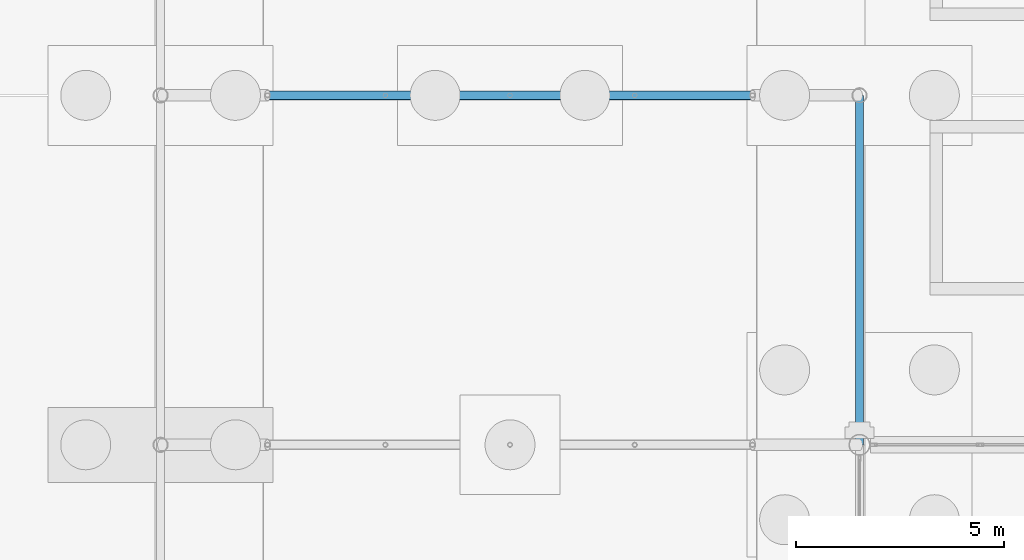
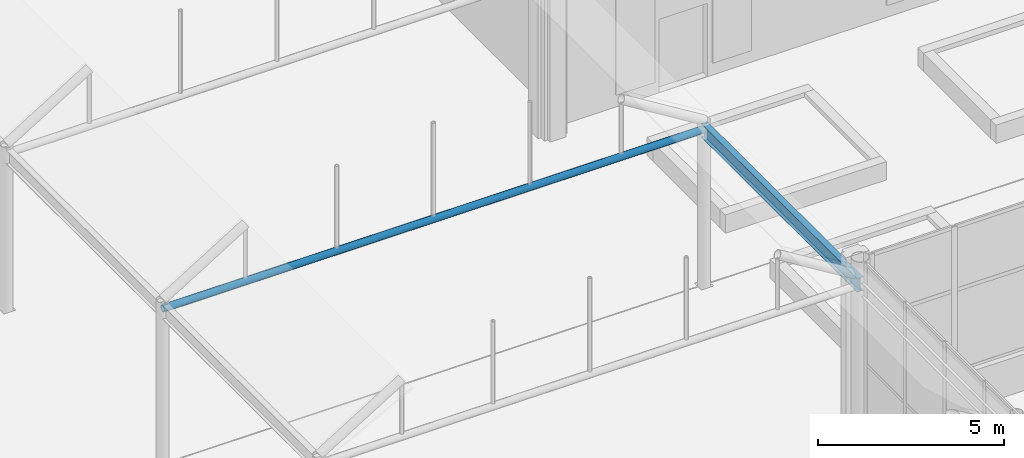
# One storey, part 137 of 212: 2 beams.
"""IFC4 building model written with IfcOpenShell, lengths in metres."""

from ifc_helpers import new_model, si_unit, direction, frame, origin, origin_2d, place, context, subcontext, project, spatial, hollow_circle, i_section, extrude, material, material_profile, profile_set, type_object, element, save


model = new_model("IFC4")

# Units and contexts
model_context = context("Model", 3, precision=1e-05, world=origin(), true_north=direction((0.0, 1.0)))
body_context = subcontext(model_context, "Body", "Model", "MODEL_VIEW")
ifc_project = project(units=[si_unit("LENGTHUNIT", "METRE"), si_unit("AREAUNIT", "SQUARE_METRE"), si_unit("VOLUMEUNIT", "CUBIC_METRE"), si_unit("PLANEANGLEUNIT", "RADIAN"), si_unit("MASSUNIT", "GRAM", prefix="KILO")], contexts=[model_context])

# Site, building, storey
site_placement = place(None, origin())
site = spatial("IfcSite", under=ifc_project, at=site_placement, CompositionType="ELEMENT")
building_placement = place(site_placement, origin())
building = spatial("IfcBuilding", under=site, at=building_placement, Name="Catenary Quay Ferry Terminal", CompositionType="ELEMENT")
storey_placement = place(building_placement, origin())
storey = spatial("IfcBuildingStorey", under=building, at=storey_placement, Name="L00", CompositionType="ELEMENT", Elevation=0.0)

# Beams
ifc_material_1 = material(Name="Steel S355", Category="steel")
ifc_material_profile_1 = material_profile(ifc_material_1, i_section(OverallWidth=0.18994140625, OverallDepth=0.453369140625, WebThickness=0.008544921875, FlangeThickness=0.0126953125, at=origin_2d()), Name="UB 457x191x67")
ifc_profile_set_1 = profile_set([ifc_material_profile_1], Name="Steel S355")
beam_type_1 = type_object("IfcBeamType", Name="B1 UB 457x191x67", PredefinedType="BEAM", material=ifc_profile_set_1)
beam_1_placement = place(storey_placement, frame((25.199951171875, 142.800048828125, 5.10009765625), z_axis=(0.0, 1.0, 0.0), x_axis=(-1.0, 0.0, 0.0)))
element("IfcBeam", 1, at=beam_1_placement, inside=storey, type_object=beam_type_1, Name="Eaves beam B-FD10", PredefinedType="BEAM", context=body_context, shape_type="SweptSolid", body=[
    extrude(i_section(OverallWidth=0.18994140625, OverallDepth=0.453369140625, WebThickness=0.008544921875, FlangeThickness=0.0126953125, at=origin_2d()), origin(), (0.0, 0.0, 1.0), 8.39990234375),
])
ifc_material_2 = material(Name="Steel S355", Category="steel")
ifc_material_profile_2 = material_profile(ifc_material_2, hollow_circle(Radius=0.109619140625, WallThickness=0.010009765625, at=origin_2d()), Name="CHS 219.1x10")
ifc_profile_set_2 = profile_set([ifc_material_profile_2], Name="Steel S355")
beam_type_2 = type_object("IfcBeamType", Name="TB2 CHS 219.1x10", PredefinedType="BEAM", material=ifc_profile_set_2)
beam_2_placement = place(storey_placement, frame((8.39990234375, 151.199951171875, 5.10009765625), z_axis=(1.0, 0.0, 0.0), x_axis=(0.0, 1.0, 0.0)))
element("IfcBeam", 2, at=beam_2_placement, inside=storey, type_object=beam_type_2, Name="tie beam FC-11", PredefinedType="BEAM", context=body_context, shape_type="SweptSolid", body=[
    extrude(hollow_circle(Radius=0.109619140625, WallThickness=0.010009765625, at=origin_2d()), origin(), (0.0, 0.0, 1.0), 16.800048828125),
])

save(model, "model.ifc")
